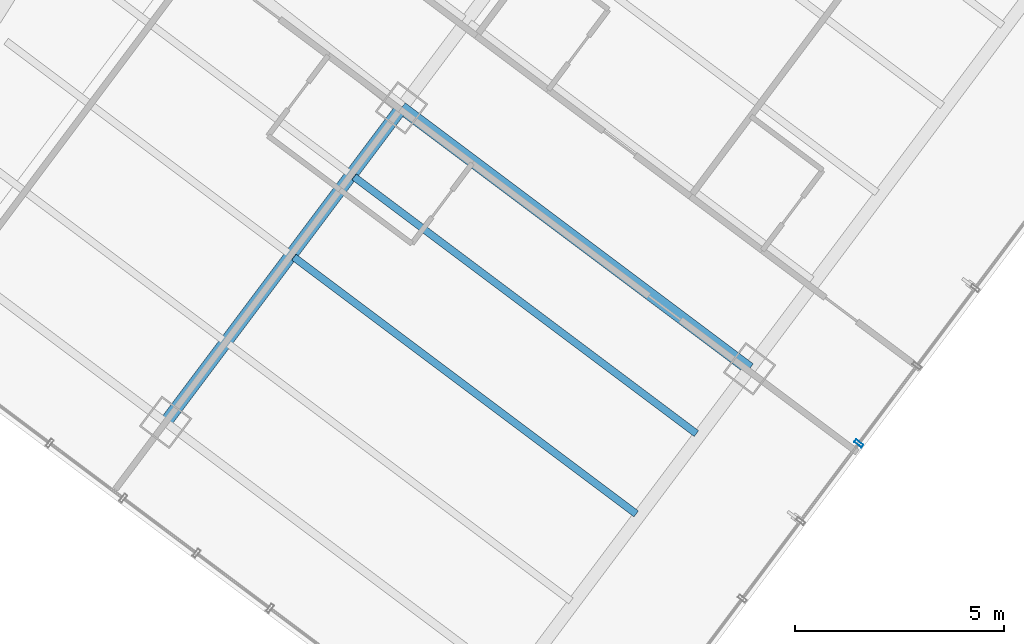
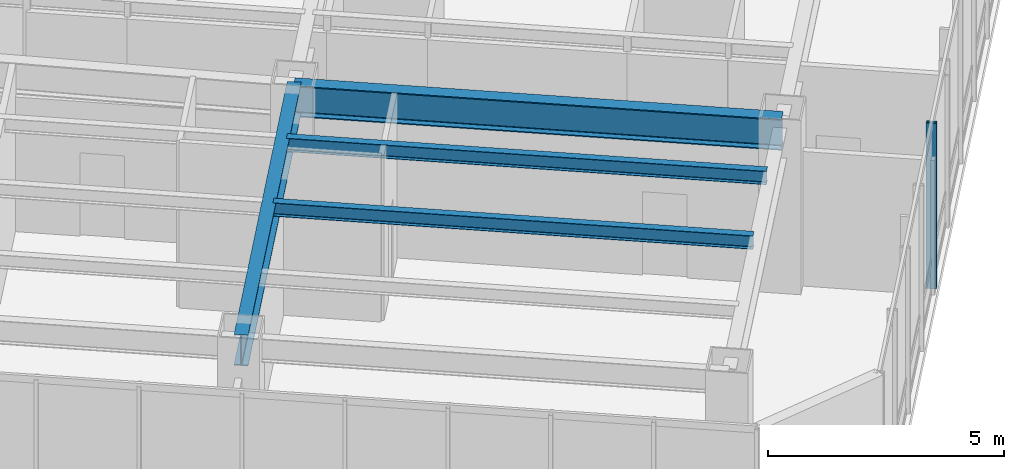
# One storey, part 9 of 27: 4 beams, 1 member, 1 element without a shape of its own.
"""IFC4 building model written with IfcOpenShell, lengths in metres."""

from ifc_helpers import new_model, si_unit, direction, frame, origin, origin_2d, place, context, subcontext, project, spatial, hollow_rectangle, i_section, extrude, material, layer, layer_set, material_profile, profile_set, type_object, element, aggregate, save


model = new_model("IFC4")

# Units and contexts
model_context = context("Model", 3, precision=1e-05, world=origin(), true_north=direction((0.0, 1.0)))
body_context = subcontext(model_context, "Body", "Model", "MODEL_VIEW")
ifc_project = project(units=[si_unit("LENGTHUNIT", "METRE"), si_unit("AREAUNIT", "SQUARE_METRE"), si_unit("VOLUMEUNIT", "CUBIC_METRE"), si_unit("PLANEANGLEUNIT", "RADIAN"), si_unit("MASSUNIT", "GRAM", prefix="KILO")], contexts=[model_context])

# Site, building, storey
site_placement = place(None, origin())
site = spatial("IfcSite", under=ifc_project, at=site_placement, CompositionType="ELEMENT")
building_placement = place(site_placement, origin())
building = spatial("IfcBuilding", under=site, at=building_placement, Name="Hatsunagi Terrace Concourse", CompositionType="ELEMENT")
storey_placement = place(building_placement, frame((0.0, 0.0, 70.10009765625)))
storey = spatial("IfcBuildingStorey", under=building, at=storey_placement, Name="L18", CompositionType="ELEMENT", Elevation=70.10009765625)

# Curtain wall, member
ifc_material_1 = material(Name="Anodised Aluminium Alloy 6063-T5", Category="aluminium")
ifc_layer = layer(ifc_material_1, 0.199951171875)
ifc_layer_set = layer_set([ifc_layer], Name="SkyLobbyAtrium_CW05")
curtain_wall_type = type_object("IfcCurtainWallType", Name="SkyLobbyAtrium_CW05", PredefinedType="NOTDEFINED", material=ifc_layer_set)
curtain_wall_placement = place(storey_placement, origin())
curtain_wall = element("IfcCurtainWall", 1, at=curtain_wall_placement, inside=storey, type_object=curtain_wall_type, Name="Unitised Curtain Wall CW-05 CW-L18-03", PredefinedType="NOTDEFINED")
ifc_material_2 = material(Name="Anodised Aluminium Alloy 6063-T5", Category="aluminium")
ifc_material_profile_1 = material_profile(ifc_material_2, hollow_rectangle(XDim=0.080078125, YDim=0.219970703125, WallThickness=0.0048828125, at=origin_2d()), Name="ALU-MUL-220x80x5")
ifc_profile_set_1 = profile_set([ifc_material_profile_1], Name="Anodised Aluminium Alloy 6063-T5")
member_type = type_object("IfcMemberType", Name="CurtainWallMullion_Heavy_220x80", PredefinedType="MULLION", material=ifc_profile_set_1)
member_placement = place(storey_placement, frame((62.132080078125, 10.3759765625, 0.0), z_axis=(0.0, 0.0, 1.0), x_axis=(-0.599969314634, -0.800023013105, 0.0)))
member = element("IfcMember", 2, at=member_placement, type_object=member_type, Name="Curtain Wall Mullion MUL-01", PredefinedType="MULLION", context=body_context, shape_type="SweptSolid", body=[
    extrude(hollow_rectangle(XDim=0.080078125, YDim=0.219970703125, WallThickness=0.0048828125, at=origin_2d()), origin(), (0.0, 0.0, 1.0), 4.27978515625),
])
aggregate(curtain_wall, [member])

# Beams
ifc_material_3 = material(Name="Steel SN490B", Category="steel")
ifc_material_profile_2 = material_profile(ifc_material_3, i_section(OverallWidth=0.175048828125, OverallDepth=0.35009765625, WebThickness=0.007080078125, FlangeThickness=0.010986328125, FilletRadius=0.012939453125, at=origin_2d()), Name="H-350x175x7x11")
ifc_profile_set_2 = profile_set([ifc_material_profile_2], Name="Steel SN490B")
beam_type_1 = type_object("IfcBeamType", Name="HotelJoist_H_350x175", PredefinedType="JOIST", material=ifc_profile_set_2)
beam_1_placement = place(storey_placement, frame((48.6279296875, 14.8291015625, 4.10498046875), z_axis=(0.799994272423, -0.600007636694, 0.0), x_axis=(0.600007636694, 0.799994272423, 0.0)))
element("IfcBeam", 3, at=beam_1_placement, inside=storey, type_object=beam_type_1, Name="Beam J-02 J-L18-SE-3-72", PredefinedType="JOIST", context=body_context, shape_type="SweptSolid", body=[
    extrude(i_section(OverallWidth=0.175048828125, OverallDepth=0.35009765625, WebThickness=0.007080078125, FlangeThickness=0.010986328125, FilletRadius=0.012939453125, at=origin_2d()), origin(), (0.0, 0.0, 1.0), 10.230224609375),
])
beam_2_placement = place(storey_placement, frame((50.068115234375, 16.7490234375, 4.10498046875), z_axis=(0.799997136125, -0.600003818481, 0.0), x_axis=(0.600003818481, 0.799997136125, 0.0)))
element("IfcBeam", 4, at=beam_2_placement, inside=storey, type_object=beam_type_1, Name="Beam J-02 J-L18-SE-3-96", PredefinedType="JOIST", context=body_context, shape_type="SweptSolid", body=[
    extrude(i_section(OverallWidth=0.175048828125, OverallDepth=0.35009765625, WebThickness=0.007080078125, FlangeThickness=0.010986328125, FilletRadius=0.012939453125, at=origin_2d()), origin(), (0.0, 0.0, 1.0), 10.229736328125),
])
ifc_material_4 = material(Name="Steel SN490B", Category="steel")
ifc_material_profile_3 = material_profile(ifc_material_4, i_section(OverallWidth=0.300048828125, OverallDepth=0.800048828125, WebThickness=0.013916015625, FlangeThickness=0.02587890625, FilletRadius=0.02197265625, at=origin_2d()), Name="H-800x300x14x26")
ifc_profile_set_3 = profile_set([ifc_material_profile_3], Name="Steel SN490B")
beam_type_2 = type_object("IfcBeamType", Name="SkyLobbyGirder_H_800x300", PredefinedType="BEAM", material=ifc_profile_set_3)
beam_3_placement = place(storey_placement, frame((45.56005859375, 10.8798828125, 3.8798828125), z_axis=(0.599991688754, 0.800006233367, 0.0), x_axis=(-0.800006233367, 0.599991688754, 0.0)))
element("IfcBeam", 5, at=beam_3_placement, inside=storey, type_object=beam_type_2, Name="Beam G-03 BM-L18-SET-2A", PredefinedType="BEAM", context=body_context, shape_type="SweptSolid", body=[
    extrude(i_section(OverallWidth=0.300048828125, OverallDepth=0.800048828125, WebThickness=0.013916015625, FlangeThickness=0.02587890625, FilletRadius=0.02197265625, at=origin_2d()), origin(), (0.0, 0.0, 1.0), 9.39990234375),
])
beam_4_placement = place(storey_placement, frame((51.199951171875, 18.39990234375, 3.8798828125), z_axis=(0.800002816985, -0.599996244001, 0.0), x_axis=(0.599996244001, 0.800002816985, 0.0)))
element("IfcBeam", 6, at=beam_4_placement, inside=storey, type_object=beam_type_2, Name="Beam G-03 BM-L18-SE-M3", PredefinedType="BEAM", context=body_context, shape_type="SweptSolid", body=[
    extrude(i_section(OverallWidth=0.300048828125, OverallDepth=0.800048828125, WebThickness=0.013916015625, FlangeThickness=0.02587890625, FilletRadius=0.02197265625, at=origin_2d()), origin(), (0.0, 0.0, 1.0), 10.400146484375),
])

save(model, "model.ifc")
